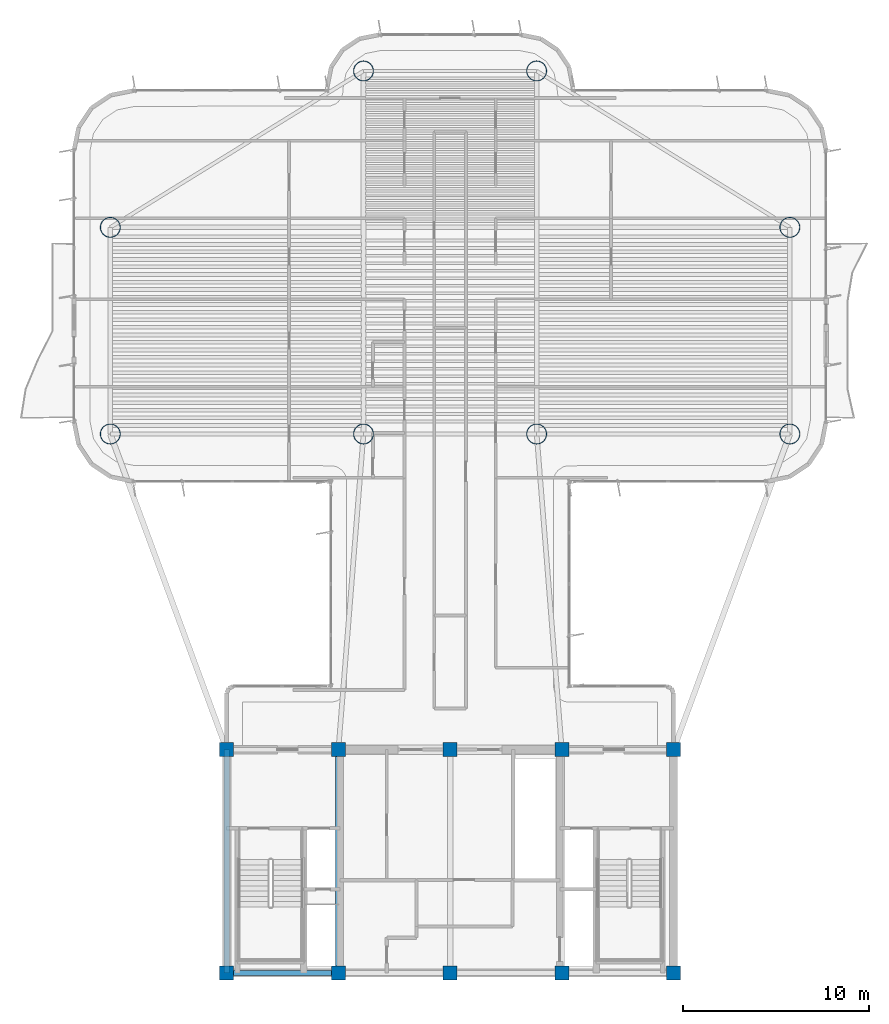
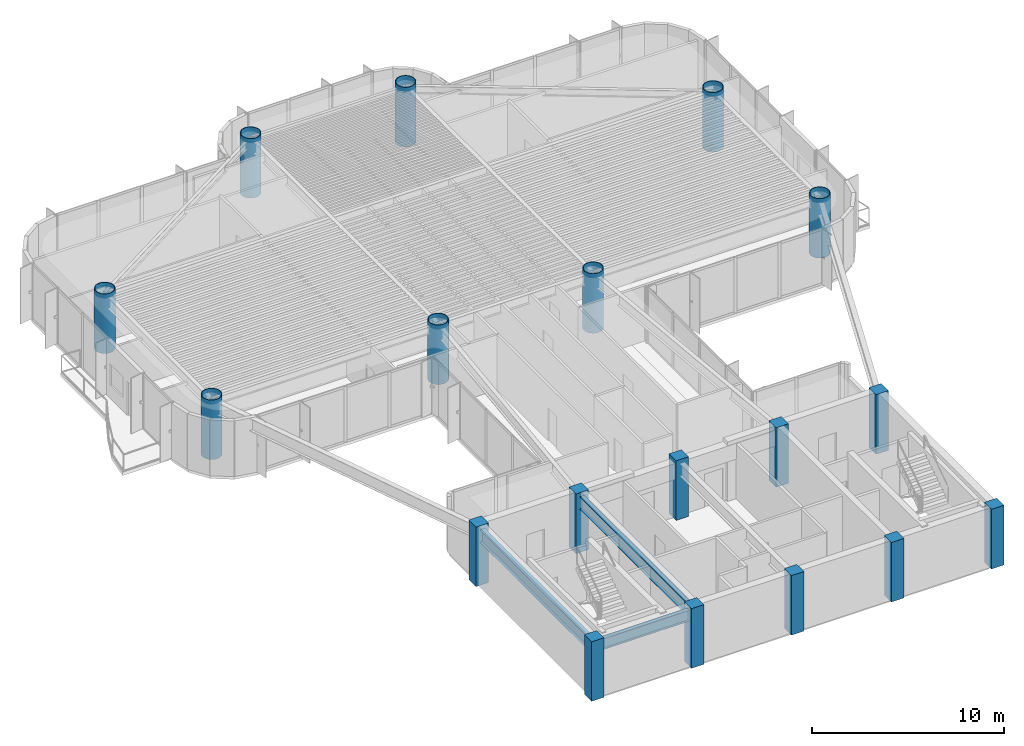
# One storey, part 1 of 14: 18 columns, 3 beams.
"""IFC4 building model written with IfcOpenShell, lengths in metres."""

from ifc_helpers import new_model, si_unit, direction, frame, origin, origin_2d, place, context, subcontext, project, spatial, rectangle, hollow_circle, i_section, extrude, source, transform, mapped, material, material_profile, profile_set, type_object, element, save


model = new_model("IFC4")

# Units and contexts
model_context = context("Model", 3, precision=1e-05, world=origin(), true_north=direction((0.0, 1.0)))
body_context = subcontext(model_context, "Body", "Model", "MODEL_VIEW")
ifc_project = project(units=[si_unit("LENGTHUNIT", "METRE"), si_unit("AREAUNIT", "SQUARE_METRE"), si_unit("VOLUMEUNIT", "CUBIC_METRE"), si_unit("PLANEANGLEUNIT", "RADIAN"), si_unit("MASSUNIT", "GRAM", prefix="KILO")], contexts=[model_context])

# Site, building, storey
site_placement = place(None, origin())
site = spatial("IfcSite", under=ifc_project, at=site_placement, CompositionType="ELEMENT")
building_placement = place(site_placement, origin())
building = spatial("IfcBuilding", under=site, at=building_placement, Name="Brelvock Crest Care Tower", CompositionType="ELEMENT")
storey_placement = place(building_placement, frame((0.0, 0.0, 201.780029296875)))
storey = spatial("IfcBuildingStorey", under=building, at=storey_placement, Name="L51", CompositionType="ELEMENT", Elevation=201.780029296875)

# Columns
ifc_material_1 = material(Name="Concrete S65 (65 MPa)", Category="concrete")
ifc_material_profile_1 = material_profile(ifc_material_1, rectangle(XDim=0.75, YDim=0.75, at=origin_2d()), Name="RC750x750")
ifc_profile_set_1 = profile_set([ifc_material_profile_1], Name="Concrete S65 (65 MPa)")
column_type_1 = type_object("IfcColumnType", Name="COL-RC3", PredefinedType="COLUMN", material=ifc_profile_set_1)
shared_shape_1 = source(origin(), body_context, "Body", "SweptSolid", [
    extrude(rectangle(XDim=0.75, YDim=0.75, at=origin_2d()), origin(), (0.0, 0.0, 1.0), 3.780029296875),
])
for number, where, z_axis, x_axis, name in (
    (1, (24.0, 6.0, 0.0), (0.0, 0.0, 1.0), (1.0, 0.0, 0.0), "L51 Core Column CC-01"),
    (2, (30.0, 6.0, 0.0), (0.0, 0.0, 1.0), (1.0, 0.0, 0.0), "L51 Core Column CC-02"),
    (3, (36.0, 6.0, 0.0), (0.0, 0.0, 1.0), (1.0, 0.0, 0.0), "L51 Core Column CC-03"),
    (4, (42.0, 6.0, 0.0), (0.0, 0.0, 1.0), (1.0, 0.0, 0.0), "L51 Core Column CC-04"),
    (5, (48.0, 6.0, 0.0), (0.0, 0.0, 1.0), (1.0, 0.0, 0.0), "L51 Core Column CC-05"),
    (6, (24.0, 18.0, 0.0), (0.0, 0.0, 1.0), (1.0, 0.0, 0.0), "L51 Core Column CC-06"),
    (7, (30.0, 18.0, 0.0), (0.0, 0.0, 1.0), (1.0, 0.0, 0.0), "L51 Core Column CC-07"),
    (8, (36.0, 18.0, 0.0), (0.0, 0.0, 1.0), (1.0, 0.0, 0.0), "L51 Core Column CC-08"),
    (9, (42.0, 18.0, 0.0), (0.0, 0.0, 1.0), (1.0, 0.0, 0.0), "L51 Core Column CC-09"),
    (10, (48.0, 18.0, 0.0), (0.0, 0.0, 1.0), (1.0, 0.0, 0.0), "L51 Core Column CC-10"),
):
    element("IfcColumn", number, at=place(storey_placement, frame(where, z_axis=z_axis, x_axis=x_axis)), inside=storey, type_object=column_type_1, Name=name, PredefinedType="COLUMN", context=body_context, shape_type="MappedRepresentation", body=[
        mapped(shared_shape_1, transform((0.0, 0.0, 0.0), x_axis=(1.0, 0.0, 0.0), y_axis=(0.0, 1.0, 0.0), z_axis=(0.0, 0.0, 1.0), scale=1.0)),
    ])
ifc_material_2 = material(Name="Steel Grade 350", Category="steel")
ifc_material_profile_2 = material_profile(ifc_material_2, hollow_circle(Radius=0.550048828125, WallThickness=0.0400390625, at=origin_2d()), Name="CFT1100x40")
ifc_profile_set_2 = profile_set([ifc_material_profile_2], Name="Steel Grade 350")
column_type_2 = type_object("IfcColumnType", Name="COL-MC3", PredefinedType="COLUMN", material=ifc_profile_set_2)
shared_shape_2 = source(origin(), body_context, "Body", "SweptSolid", [
    extrude(hollow_circle(Radius=0.550048828125, WallThickness=0.0400390625, at=origin_2d()), origin(), (0.0, 0.0, 1.0), 3.780029296875),
])
for number, where, z_axis, x_axis, name in (
    (11, (17.75, 34.949951171875, 0.0), (0.0, 0.0, 1.0), (1.0, 0.0, 0.0), "L51 Tower Column M1"),
    (12, (17.75, 46.050048828125, 0.0), (0.0, 0.0, 1.0), (1.0, 0.0, 0.0), "L51 Tower Column M2"),
    (13, (54.25, 34.949951171875, 0.0), (0.0, 0.0, 1.0), (1.0, 0.0, 0.0), "L51 Tower Column M3"),
    (14, (54.25, 46.050048828125, 0.0), (0.0, 0.0, 1.0), (1.0, 0.0, 0.0), "L51 Tower Column M4"),
    (15, (31.35009765625, 34.949951171875, 0.0), (0.0, 0.0, 1.0), (1.0, 0.0, 0.0), "L51 Tower Column M5"),
    (16, (40.64990234375, 34.949951171875, 0.0), (0.0, 0.0, 1.0), (1.0, 0.0, 0.0), "L51 Tower Column M6"),
    (17, (31.35009765625, 54.449951171875, 0.0), (0.0, 0.0, 1.0), (1.0, 0.0, 0.0), "L51 Tower Column M7"),
    (18, (40.64990234375, 54.449951171875, 0.0), (0.0, 0.0, 1.0), (1.0, 0.0, 0.0), "L51 Tower Column M8"),
):
    element("IfcColumn", number, at=place(storey_placement, frame(where, z_axis=z_axis, x_axis=x_axis)), inside=storey, type_object=column_type_2, Name=name, PredefinedType="COLUMN", context=body_context, shape_type="MappedRepresentation", body=[
        mapped(shared_shape_2, transform((0.0, 0.0, 0.0), x_axis=(1.0, 0.0, 0.0), y_axis=(0.0, 1.0, 0.0), z_axis=(0.0, 0.0, 1.0), scale=1.0)),
    ])

# Beams
ifc_material_profile_3 = material_profile(ifc_material_2, i_section(OverallWidth=0.25, OverallDepth=0.699951171875, WebThickness=0.011962890625, FlangeThickness=0.02001953125, at=origin_2d()), Name="700WB150")
ifc_profile_set_3 = profile_set([ifc_material_profile_3], Name="Steel Grade 350")
beam_type_1 = type_object("IfcBeamType", Name="BM-G4", PredefinedType="BEAM", material=ifc_profile_set_3)
shared_shape_3 = source(origin(), body_context, "Body", "SweptSolid", [
    extrude(i_section(OverallWidth=0.25, OverallDepth=0.699951171875, WebThickness=0.011962890625, FlangeThickness=0.02001953125, at=origin_2d()), origin(), (0.0, 0.0, 1.0), 6.0),
])
beam_placement = place(storey_placement, frame((24.0, 6.0, 3.179931640625), z_axis=(1.0, 0.0, 0.0), x_axis=(0.0, 1.0, 0.0)))
element("IfcBeam", 19, at=beam_placement, inside=storey, type_object=beam_type_1, Name="BM-CORES-L51-1", PredefinedType="BEAM", context=body_context, shape_type="MappedRepresentation", body=[
    mapped(shared_shape_3, transform((0.0, 0.0, 0.0), x_axis=(1.0, 0.0, 0.0), y_axis=(0.0, 1.0, 0.0), z_axis=(0.0, 0.0, 1.0), scale=1.0)),
])
ifc_material_profile_4 = material_profile(ifc_material_2, i_section(OverallWidth=0.300048828125, OverallDepth=0.800048828125, WebThickness=0.013916015625, FlangeThickness=0.02197265625, at=origin_2d()), Name="800WB192")
ifc_profile_set_4 = profile_set([ifc_material_profile_4], Name="Steel Grade 350")
beam_type_2 = type_object("IfcBeamType", Name="BM-G5", PredefinedType="BEAM", material=ifc_profile_set_4)
shared_shape_4 = source(origin(), body_context, "Body", "SweptSolid", [
    extrude(i_section(OverallWidth=0.300048828125, OverallDepth=0.800048828125, WebThickness=0.013916015625, FlangeThickness=0.02197265625, at=origin_2d()), origin(), (0.0, 0.0, 1.0), 12.0),
])
for number, where, z_axis, x_axis, name in (
    (20, (24.0, 6.0, 3.1298828125), (0.0, 1.0, 0.0), (-1.0, 0.0, 0.0), "BM-COREX-L51-1"),
    (21, (30.0, 6.0, 3.1298828125), (0.0, 1.0, 0.0), (-1.0, 0.0, 0.0), "BM-COREX-L51-2"),
):
    element("IfcBeam", number, at=place(storey_placement, frame(where, z_axis=z_axis, x_axis=x_axis)), inside=storey, type_object=beam_type_2, Name=name, PredefinedType="BEAM", context=body_context, shape_type="MappedRepresentation", body=[
        mapped(shared_shape_4, transform((0.0, 0.0, 0.0), x_axis=(1.0, 0.0, 0.0), y_axis=(0.0, 1.0, 0.0), z_axis=(0.0, 0.0, 1.0), scale=1.0)),
    ])

save(model, "model.ifc")
